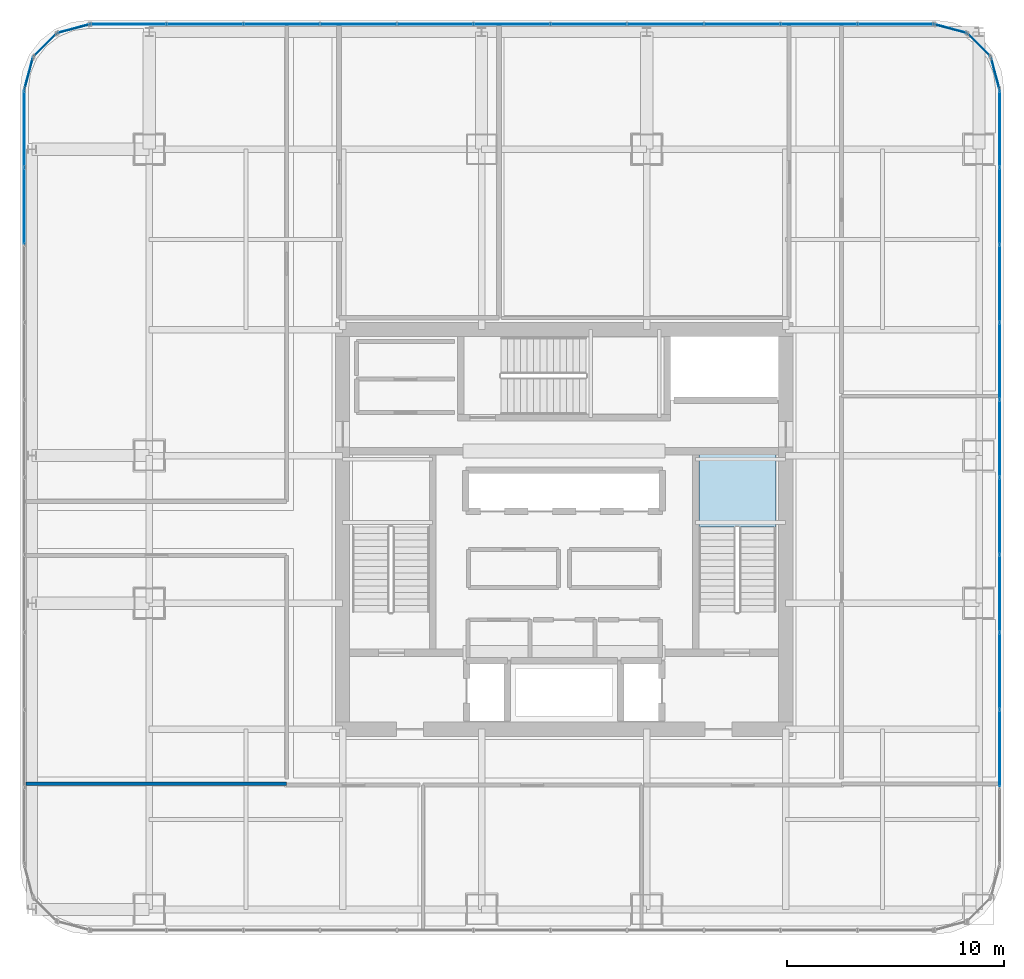
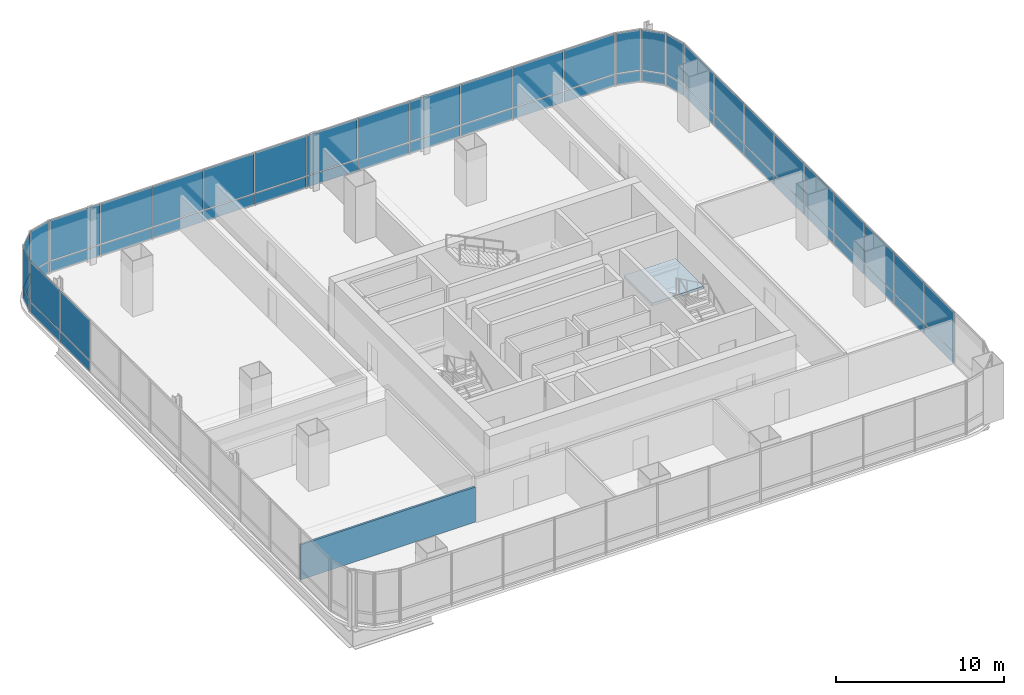
# One storey, part 29 of 37: 56 plates, 1 slab, 1 wall, 10 elements without a shape of their own.
"""IFC4 building model written with IfcOpenShell, lengths in metres."""

from ifc_helpers import new_model, si_unit, direction, frame, frame_2d, origin, origin_2d, place, context, subcontext, project, spatial, polyline, rectangle, outline, extrude, material, layer, layer_set, type_object, element, aggregate, save


model = new_model("IFC4")

# Units and contexts
model_context = context("Model", 3, precision=1e-05, world=origin(), true_north=direction((0.0, 1.0)))
body_context = subcontext(model_context, "Body", "Model", "MODEL_VIEW")
ifc_project = project(units=[si_unit("LENGTHUNIT", "METRE"), si_unit("AREAUNIT", "SQUARE_METRE"), si_unit("VOLUMEUNIT", "CUBIC_METRE"), si_unit("PLANEANGLEUNIT", "RADIAN"), si_unit("MASSUNIT", "GRAM", prefix="KILO")], contexts=[model_context])

# Site, building, storey
site_placement = place(None, origin())
site = spatial("IfcSite", under=ifc_project, at=site_placement, CompositionType="ELEMENT")
building_placement = place(site_placement, origin())
building = spatial("IfcBuilding", under=site, at=building_placement, Name="Punatoya Terracotta Tower", CompositionType="ELEMENT")
storey_placement = place(building_placement, frame((0.0, 0.0, 164.10009765625)))
storey = spatial("IfcBuildingStorey", under=building, at=storey_placement, Name="L38", CompositionType="ELEMENT", Elevation=164.10009765625)

# Curtain wall, plates
ifc_material_1 = material(Name="Aluminium 6063-T6 + Double Low-E Glass", Category="aluminium")
curtain_wall_type = type_object("IfcCurtainWallType", Name="CW-M2", PredefinedType="NOTDEFINED", material=ifc_material_1)
curtain_wall_1_placement = place(storey_placement, origin())
curtain_wall_1 = element("IfcCurtainWall", 1, at=curtain_wall_1_placement, inside=storey, type_object=curtain_wall_type, Name="L38 Curtain Wall CW-L38-E05-1", PredefinedType="NOTDEFINED")
ifc_material_2 = material(Name="Double Low-E Acoustic Vision Glass", Category="glass")
ifc_layer_1 = layer(ifc_material_2, 0.031982421875)
ifc_layer_set_1 = layer_set([ifc_layer_1], Name="Double Low-E Acoustic Vision Glass")
plate_type_1 = type_object("IfcPlateType", Name="PLT-GLZ-32", PredefinedType="CURTAIN_PANEL", material=ifc_layer_set_1)
plate_1_placement = place(storey_placement, frame((20.050048828125, -10.085693359375, 0.889892578125), z_axis=(0.0, 0.0, 1.0), x_axis=(0.0, 1.0, 0.0)))
plate_1 = element("IfcPlate", 2, at=plate_1_placement, type_object=plate_type_1, Name="CW-L38-E05-1 Vision Glass Panel 2", PredefinedType="CURTAIN_PANEL", context=body_context, shape_type="SweptSolid", body=[
    extrude(rectangle(XDim=3.482421875, YDim=0.031982421875, at=origin_2d()), origin(), (0.0, 0.0, 1.0), 2.89990234375),
])
plate_2_placement = place(storey_placement, frame((20.050048828125, -6.518310546875, 0.889892578125), z_axis=(0.0, 0.0, 1.0), x_axis=(0.0, 1.0, 0.0)))
plate_2 = element("IfcPlate", 3, at=plate_2_placement, type_object=plate_type_1, Name="CW-L38-E05-1 Vision Glass Panel 3", PredefinedType="CURTAIN_PANEL", context=body_context, shape_type="SweptSolid", body=[
    extrude(rectangle(XDim=3.482421875, YDim=0.031982421875, at=origin_2d()), origin(), (0.0, 0.0, 1.0), 2.89990234375),
])
plate_3_placement = place(storey_placement, frame((20.050048828125, -2.951171875, 0.889892578125), z_axis=(0.0, 0.0, 1.0), x_axis=(0.0, 1.0, 0.0)))
plate_3 = element("IfcPlate", 4, at=plate_3_placement, type_object=plate_type_1, Name="CW-L38-E05-1 Vision Glass Panel 4", PredefinedType="CURTAIN_PANEL", context=body_context, shape_type="SweptSolid", body=[
    extrude(rectangle(XDim=3.482421875, YDim=0.031982421875, at=origin_2d()), origin(), (0.0, 0.0, 1.0), 2.89990234375),
])
plate_4_placement = place(storey_placement, frame((20.050048828125, 0.6162109375, 0.889892578125), z_axis=(0.0, 0.0, 1.0), x_axis=(0.0, 1.0, 0.0)))
plate_4 = element("IfcPlate", 5, at=plate_4_placement, type_object=plate_type_1, Name="CW-L38-E05-1 Vision Glass Panel 5", PredefinedType="CURTAIN_PANEL", context=body_context, shape_type="SweptSolid", body=[
    extrude(rectangle(XDim=3.482421875, YDim=0.031982421875, at=origin_2d()), origin(), (0.0, 0.0, 1.0), 2.89990234375),
])
plate_5_placement = place(storey_placement, frame((20.050048828125, 4.18359375, 0.889892578125), z_axis=(0.0, 0.0, 1.0), x_axis=(0.0, 1.0, 0.0)))
plate_5 = element("IfcPlate", 6, at=plate_5_placement, type_object=plate_type_1, Name="CW-L38-E05-1 Vision Glass Panel 6", PredefinedType="CURTAIN_PANEL", context=body_context, shape_type="SweptSolid", body=[
    extrude(rectangle(XDim=3.482421875, YDim=0.031982421875, at=origin_2d()), origin(), (0.0, 0.0, 1.0), 2.89990234375),
])
plate_6_placement = place(storey_placement, frame((20.050048828125, 7.751220703125, 0.889892578125), z_axis=(0.0, 0.0, 1.0), x_axis=(0.0, 1.0, 0.0)))
plate_6 = element("IfcPlate", 7, at=plate_6_placement, type_object=plate_type_1, Name="CW-L38-E05-1 Vision Glass Panel 7", PredefinedType="CURTAIN_PANEL", context=body_context, shape_type="SweptSolid", body=[
    extrude(rectangle(XDim=3.482421875, YDim=0.031982421875, at=origin_2d()), origin(), (0.0, 0.0, 1.0), 2.89990234375),
])
plate_7_placement = place(storey_placement, frame((20.050048828125, 11.318359375, 0.889892578125), z_axis=(0.0, 0.0, 1.0), x_axis=(0.0, 1.0, 0.0)))
plate_7 = element("IfcPlate", 8, at=plate_7_placement, type_object=plate_type_1, Name="CW-L38-E05-1 Vision Glass Panel 8", PredefinedType="CURTAIN_PANEL", context=body_context, shape_type="SweptSolid", body=[
    extrude(rectangle(XDim=3.482421875, YDim=0.031982421875, at=origin_2d()), origin(), (0.0, 0.0, 1.0), 2.89990234375),
])
plate_8_placement = place(storey_placement, frame((20.050048828125, 14.8857421875, 0.889892578125), z_axis=(0.0, 0.0, 1.0), x_axis=(0.0, 1.0, 0.0)))
plate_8 = element("IfcPlate", 9, at=plate_8_placement, type_object=plate_type_1, Name="CW-L38-E05-1 Vision Glass Panel 9", PredefinedType="CURTAIN_PANEL", context=body_context, shape_type="SweptSolid", body=[
    extrude(rectangle(XDim=3.482421875, YDim=0.031982421875, at=origin_2d()), origin(), (0.0, 0.0, 1.0), 2.89990234375),
])
plate_9_placement = place(storey_placement, frame((20.050048828125, 18.453125, 0.889892578125), z_axis=(0.0, 0.0, 1.0), x_axis=(0.0, 1.0, 0.0)))
plate_9 = element("IfcPlate", 10, at=plate_9_placement, type_object=plate_type_1, Name="CW-L38-E05-1 Vision Glass Panel 10", PredefinedType="CURTAIN_PANEL", context=body_context, shape_type="SweptSolid", body=[
    extrude(rectangle(XDim=3.482421875, YDim=0.031982421875, at=origin_2d()), origin(), (0.0, 0.0, 1.0), 2.89990234375),
])

# Curtain wall, plate
curtain_wall_2_placement = place(storey_placement, origin())
curtain_wall_2 = element("IfcCurtainWall", 11, at=curtain_wall_2_placement, inside=storey, type_object=curtain_wall_type, Name="L38 Curtain Wall CW-L38-CRN06", PredefinedType="NOTDEFINED")
plate_10_placement = place(storey_placement, frame((19.848388671875, 20.992919921875, 0.889892578125), z_axis=(0.0, 0.0, 1.0), x_axis=(-0.257741620719, 0.966213877436, 0.0)))
plate_10 = element("IfcPlate", 12, at=plate_10_placement, type_object=plate_type_1, Name="CW-L38-CRN06 Vision Glass Panel 1", PredefinedType="CURTAIN_PANEL", context=body_context, shape_type="SweptSolid", body=[
    extrude(rectangle(XDim=1.47998046875, YDim=0.031982421875, at=origin_2d()), origin(), (0.0, 0.0, 1.0), 2.89990234375),
])

curtain_wall_3_placement = place(storey_placement, origin())
curtain_wall_3 = element("IfcCurtainWall", 13, at=curtain_wall_3_placement, inside=storey, type_object=curtain_wall_type, Name="L38 Curtain Wall CW-L38-CRN07", PredefinedType="NOTDEFINED")
plate_11_placement = place(storey_placement, frame((19.097900390625, 22.2978515625, 0.889892578125), z_axis=(0.0, 0.0, 1.0), x_axis=(-0.707106781187, 0.707106781187, 0.0)))
plate_11 = element("IfcPlate", 14, at=plate_11_placement, type_object=plate_type_1, Name="CW-L38-CRN07 Vision Glass Panel 1", PredefinedType="CURTAIN_PANEL", context=body_context, shape_type="SweptSolid", body=[
    extrude(rectangle(XDim=1.467041015625, YDim=0.031982421875, at=origin_2d()), origin(), (0.0, 0.0, 1.0), 2.89990234375),
])

curtain_wall_4_placement = place(storey_placement, origin())
curtain_wall_4 = element("IfcCurtainWall", 15, at=curtain_wall_4_placement, inside=storey, type_object=curtain_wall_type, Name="L38 Curtain Wall CW-L38-CRN08", PredefinedType="NOTDEFINED")
plate_12_placement = place(storey_placement, frame((17.79296875, 23.04833984375, 0.889892578125), z_axis=(0.0, 0.0, 1.0), x_axis=(-0.966213877436, 0.257741620719, 0.0)))
plate_12 = element("IfcPlate", 16, at=plate_12_placement, type_object=plate_type_1, Name="CW-L38-CRN08 Vision Glass Panel 1", PredefinedType="CURTAIN_PANEL", context=body_context, shape_type="SweptSolid", body=[
    extrude(rectangle(XDim=1.47998046875, YDim=0.031982421875, at=origin_2d()), origin(), (0.0, 0.0, 1.0), 2.89990234375),
])

# Curtain wall, plates
curtain_wall_5_placement = place(storey_placement, origin())
curtain_wall_5 = element("IfcCurtainWall", 17, at=curtain_wall_5_placement, inside=storey, type_object=curtain_wall_type, Name="L38 Curtain Wall CW-L38-N09-1", PredefinedType="NOTDEFINED")
plate_13_placement = place(storey_placement, frame((15.27001953125, 23.25, 0.889892578125), z_axis=(0.0, 0.0, 1.0), x_axis=(-1.0, 0.0, 0.0)))
plate_13 = element("IfcPlate", 18, at=plate_13_placement, type_object=plate_type_1, Name="CW-L38-N09-1 Vision Glass Panel 1", PredefinedType="CURTAIN_PANEL", context=body_context, shape_type="SweptSolid", body=[
    extrude(rectangle(XDim=3.448974609375, YDim=0.031982421875, at=origin_2d()), origin(), (0.0, 0.0, 1.0), 2.89990234375),
])
plate_14_placement = place(storey_placement, frame((11.73583984375, 23.25, 0.889892578125), z_axis=(0.0, 0.0, 1.0), x_axis=(-1.0, 0.0, 0.0)))
plate_14 = element("IfcPlate", 19, at=plate_14_placement, type_object=plate_type_1, Name="CW-L38-N09-1 Vision Glass Panel 2", PredefinedType="CURTAIN_PANEL", context=body_context, shape_type="SweptSolid", body=[
    extrude(rectangle(XDim=3.448974609375, YDim=0.031982421875, at=origin_2d()), origin(), (0.0, 0.0, 1.0), 2.89990234375),
])
plate_15_placement = place(storey_placement, frame((8.201904296875, 23.25, 0.889892578125), z_axis=(0.0, 0.0, 1.0), x_axis=(-1.0, 0.0, 0.0)))
plate_15 = element("IfcPlate", 20, at=plate_15_placement, type_object=plate_type_1, Name="CW-L38-N09-1 Vision Glass Panel 3", PredefinedType="CURTAIN_PANEL", context=body_context, shape_type="SweptSolid", body=[
    extrude(rectangle(XDim=3.448974609375, YDim=0.031982421875, at=origin_2d()), origin(), (0.0, 0.0, 1.0), 2.89990234375),
])
plate_16_placement = place(storey_placement, frame((4.66796875, 23.25, 0.889892578125), z_axis=(0.0, 0.0, 1.0), x_axis=(-1.0, 0.0, 0.0)))
plate_16 = element("IfcPlate", 21, at=plate_16_placement, type_object=plate_type_1, Name="CW-L38-N09-1 Vision Glass Panel 4", PredefinedType="CURTAIN_PANEL", context=body_context, shape_type="SweptSolid", body=[
    extrude(rectangle(XDim=3.448974609375, YDim=0.031982421875, at=origin_2d()), origin(), (0.0, 0.0, 1.0), 2.89990234375),
])
plate_17_placement = place(storey_placement, frame((1.134033203125, 23.25, 0.889892578125), z_axis=(0.0, 0.0, 1.0), x_axis=(-1.0, 0.0, 0.0)))
plate_17 = element("IfcPlate", 22, at=plate_17_placement, type_object=plate_type_1, Name="CW-L38-N09-1 Vision Glass Panel 5", PredefinedType="CURTAIN_PANEL", context=body_context, shape_type="SweptSolid", body=[
    extrude(rectangle(XDim=3.448974609375, YDim=0.031982421875, at=origin_2d()), origin(), (0.0, 0.0, 1.0), 2.89990234375),
])
plate_18_placement = place(storey_placement, frame((-2.39990234375, 23.25, 0.889892578125), z_axis=(0.0, 0.0, 1.0), x_axis=(-1.0, 0.0, 0.0)))
plate_18 = element("IfcPlate", 23, at=plate_18_placement, type_object=plate_type_1, Name="CW-L38-N09-1 Vision Glass Panel 6", PredefinedType="CURTAIN_PANEL", context=body_context, shape_type="SweptSolid", body=[
    extrude(rectangle(XDim=3.448974609375, YDim=0.031982421875, at=origin_2d()), origin(), (0.0, 0.0, 1.0), 2.89990234375),
])
plate_19_placement = place(storey_placement, frame((-5.93408203125, 23.25, 0.889892578125), z_axis=(0.0, 0.0, 1.0), x_axis=(-1.0, 0.0, 0.0)))
plate_19 = element("IfcPlate", 24, at=plate_19_placement, type_object=plate_type_1, Name="CW-L38-N09-1 Vision Glass Panel 7", PredefinedType="CURTAIN_PANEL", context=body_context, shape_type="SweptSolid", body=[
    extrude(rectangle(XDim=3.448974609375, YDim=0.031982421875, at=origin_2d()), origin(), (0.0, 0.0, 1.0), 2.89990234375),
])
plate_20_placement = place(storey_placement, frame((-9.468017578125, 23.25, 0.889892578125), z_axis=(0.0, 0.0, 1.0), x_axis=(-1.0, 0.0, 0.0)))
plate_20 = element("IfcPlate", 25, at=plate_20_placement, type_object=plate_type_1, Name="CW-L38-N09-1 Vision Glass Panel 8", PredefinedType="CURTAIN_PANEL", context=body_context, shape_type="SweptSolid", body=[
    extrude(rectangle(XDim=3.448974609375, YDim=0.031982421875, at=origin_2d()), origin(), (0.0, 0.0, 1.0), 2.89990234375),
])
plate_21_placement = place(storey_placement, frame((-13.001953125, 23.25, 0.889892578125), z_axis=(0.0, 0.0, 1.0), x_axis=(-1.0, 0.0, 0.0)))
plate_21 = element("IfcPlate", 26, at=plate_21_placement, type_object=plate_type_1, Name="CW-L38-N09-1 Vision Glass Panel 9", PredefinedType="CURTAIN_PANEL", context=body_context, shape_type="SweptSolid", body=[
    extrude(rectangle(XDim=3.448974609375, YDim=0.031982421875, at=origin_2d()), origin(), (0.0, 0.0, 1.0), 2.89990234375),
])
plate_22_placement = place(storey_placement, frame((-16.535888671875, 23.25, 0.889892578125), z_axis=(0.0, 0.0, 1.0), x_axis=(-1.0, 0.0, 0.0)))
plate_22 = element("IfcPlate", 27, at=plate_22_placement, type_object=plate_type_1, Name="CW-L38-N09-1 Vision Glass Panel 10", PredefinedType="CURTAIN_PANEL", context=body_context, shape_type="SweptSolid", body=[
    extrude(rectangle(XDim=3.448974609375, YDim=0.031982421875, at=origin_2d()), origin(), (0.0, 0.0, 1.0), 2.89990234375),
])
plate_23_placement = place(storey_placement, frame((-20.06982421875, 23.25, 0.889892578125), z_axis=(0.0, 0.0, 1.0), x_axis=(-1.0, 0.0, 0.0)))
plate_23 = element("IfcPlate", 28, at=plate_23_placement, type_object=plate_type_1, Name="CW-L38-N09-1 Vision Glass Panel 11", PredefinedType="CURTAIN_PANEL", context=body_context, shape_type="SweptSolid", body=[
    extrude(rectangle(XDim=3.448974609375, YDim=0.031982421875, at=origin_2d()), origin(), (0.0, 0.0, 1.0), 2.89990234375),
])

# Curtain wall, plate
curtain_wall_6_placement = place(storey_placement, origin())
curtain_wall_6 = element("IfcCurtainWall", 29, at=curtain_wall_6_placement, inside=storey, type_object=curtain_wall_type, Name="L38 Curtain Wall CW-L38-CRN10", PredefinedType="NOTDEFINED")
plate_24_placement = place(storey_placement, frame((-22.593017578125, 23.04833984375, 0.889892578125), z_axis=(0.0, 0.0, 1.0), x_axis=(-0.966213877436, -0.257741620719, 0.0)))
plate_24 = element("IfcPlate", 30, at=plate_24_placement, type_object=plate_type_1, Name="CW-L38-CRN10 Vision Glass Panel 1", PredefinedType="CURTAIN_PANEL", context=body_context, shape_type="SweptSolid", body=[
    extrude(rectangle(XDim=1.47998046875, YDim=0.031982421875, at=origin_2d()), origin(), (0.0, 0.0, 1.0), 2.89990234375),
])

curtain_wall_7_placement = place(storey_placement, origin())
curtain_wall_7 = element("IfcCurtainWall", 31, at=curtain_wall_7_placement, inside=storey, type_object=curtain_wall_type, Name="L38 Curtain Wall CW-L38-CRN11", PredefinedType="NOTDEFINED")
plate_25_placement = place(storey_placement, frame((-23.89794921875, 22.2978515625, 0.889892578125), z_axis=(0.0, 0.0, 1.0), x_axis=(-0.707106781187, -0.707106781187, 0.0)))
plate_25 = element("IfcPlate", 32, at=plate_25_placement, type_object=plate_type_1, Name="CW-L38-CRN11 Vision Glass Panel 1", PredefinedType="CURTAIN_PANEL", context=body_context, shape_type="SweptSolid", body=[
    extrude(rectangle(XDim=1.467041015625, YDim=0.031982421875, at=origin_2d()), origin(), (0.0, 0.0, 1.0), 2.89990234375),
])

curtain_wall_8_placement = place(storey_placement, origin())
curtain_wall_8 = element("IfcCurtainWall", 33, at=curtain_wall_8_placement, inside=storey, type_object=curtain_wall_type, Name="L38 Curtain Wall CW-L38-CRN12", PredefinedType="NOTDEFINED")
plate_26_placement = place(storey_placement, frame((-24.648193359375, 20.992919921875, 0.889892578125), z_axis=(0.0, 0.0, 1.0), x_axis=(-0.257741620719, -0.966213877436, 0.0)))
plate_26 = element("IfcPlate", 34, at=plate_26_placement, type_object=plate_type_1, Name="CW-L38-CRN12 Vision Glass Panel 1", PredefinedType="CURTAIN_PANEL", context=body_context, shape_type="SweptSolid", body=[
    extrude(rectangle(XDim=1.47998046875, YDim=0.031982421875, at=origin_2d()), origin(), (0.0, 0.0, 1.0), 2.89990234375),
])

# Curtain wall, plates
curtain_wall_9_placement = place(storey_placement, origin())
curtain_wall_9 = element("IfcCurtainWall", 35, at=curtain_wall_9_placement, inside=storey, type_object=curtain_wall_type, Name="L38 Curtain Wall CW-L38-W13-1", PredefinedType="NOTDEFINED")
plate_27_placement = place(storey_placement, frame((-24.85009765625, 18.453125, 0.889892578125), z_axis=(0.0, 0.0, 1.0), x_axis=(0.0, -1.0, 0.0)))
plate_27 = element("IfcPlate", 36, at=plate_27_placement, type_object=plate_type_1, Name="CW-L38-W13-1 Vision Glass Panel 1", PredefinedType="CURTAIN_PANEL", context=body_context, shape_type="SweptSolid", body=[
    extrude(rectangle(XDim=3.482421875, YDim=0.031982421875, at=origin_2d()), origin(), (0.0, 0.0, 1.0), 2.89990234375),
])
plate_28_placement = place(storey_placement, frame((-24.85009765625, 14.8857421875, 0.889892578125), z_axis=(0.0, 0.0, 1.0), x_axis=(0.0, -1.0, 0.0)))
plate_28 = element("IfcPlate", 37, at=plate_28_placement, type_object=plate_type_1, Name="CW-L38-W13-1 Vision Glass Panel 2", PredefinedType="CURTAIN_PANEL", context=body_context, shape_type="SweptSolid", body=[
    extrude(rectangle(XDim=3.482421875, YDim=0.031982421875, at=origin_2d()), origin(), (0.0, 0.0, 1.0), 2.89990234375),
])

# Plate
ifc_material_3 = material(Name="Insulated Terracotta-Backed Spandrel Panel", Category="masonry")
ifc_layer_2 = layer(ifc_material_3, 0.044921875)
ifc_layer_set_2 = layer_set([ifc_layer_2], Name="Insulated Terracotta-Backed Spandrel Panel")
plate_type_2 = type_object("IfcPlateType", Name="PLT-SPN-45", PredefinedType="CURTAIN_PANEL", material=ifc_layer_set_2)
plate_29_placement = place(storey_placement, frame((20.050048828125, -10.085693359375, 0.0400390625), z_axis=(0.0, 0.0, 1.0), x_axis=(0.0, 1.0, 0.0)))
plate_29 = element("IfcPlate", 38, at=plate_29_placement, type_object=plate_type_2, Name="CW-L38-E05-1 Terracotta Spandrel Panel 2", PredefinedType="CURTAIN_PANEL", context=body_context, shape_type="SweptSolid", body=[
    extrude(rectangle(XDim=3.482421875, YDim=0.044921875, at=origin_2d()), origin(), (0.0, 0.0, 1.0), 0.77490234375),
])

plate_30_placement = place(storey_placement, frame((20.050048828125, -6.518310546875, 0.0400390625), z_axis=(0.0, 0.0, 1.0), x_axis=(0.0, 1.0, 0.0)))
plate_30 = element("IfcPlate", 39, at=plate_30_placement, type_object=plate_type_2, Name="CW-L38-E05-1 Terracotta Spandrel Panel 3", PredefinedType="CURTAIN_PANEL", context=body_context, shape_type="SweptSolid", body=[
    extrude(rectangle(XDim=3.482421875, YDim=0.044921875, at=origin_2d()), origin(), (0.0, 0.0, 1.0), 0.77490234375),
])

plate_31_placement = place(storey_placement, frame((20.050048828125, -2.951171875, 0.0400390625), z_axis=(0.0, 0.0, 1.0), x_axis=(0.0, 1.0, 0.0)))
plate_31 = element("IfcPlate", 40, at=plate_31_placement, type_object=plate_type_2, Name="CW-L38-E05-1 Terracotta Spandrel Panel 4", PredefinedType="CURTAIN_PANEL", context=body_context, shape_type="SweptSolid", body=[
    extrude(rectangle(XDim=3.482421875, YDim=0.044921875, at=origin_2d()), origin(), (0.0, 0.0, 1.0), 0.77490234375),
])

plate_32_placement = place(storey_placement, frame((20.050048828125, 0.6162109375, 0.0400390625), z_axis=(0.0, 0.0, 1.0), x_axis=(0.0, 1.0, 0.0)))
plate_32 = element("IfcPlate", 41, at=plate_32_placement, type_object=plate_type_2, Name="CW-L38-E05-1 Terracotta Spandrel Panel 5", PredefinedType="CURTAIN_PANEL", context=body_context, shape_type="SweptSolid", body=[
    extrude(rectangle(XDim=3.482421875, YDim=0.044921875, at=origin_2d()), origin(), (0.0, 0.0, 1.0), 0.77490234375),
])

plate_33_placement = place(storey_placement, frame((20.050048828125, 4.18359375, 0.0400390625), z_axis=(0.0, 0.0, 1.0), x_axis=(0.0, 1.0, 0.0)))
plate_33 = element("IfcPlate", 42, at=plate_33_placement, type_object=plate_type_2, Name="CW-L38-E05-1 Terracotta Spandrel Panel 6", PredefinedType="CURTAIN_PANEL", context=body_context, shape_type="SweptSolid", body=[
    extrude(rectangle(XDim=3.482421875, YDim=0.044921875, at=origin_2d()), origin(), (0.0, 0.0, 1.0), 0.77490234375),
])

plate_34_placement = place(storey_placement, frame((20.050048828125, 7.751220703125, 0.0400390625), z_axis=(0.0, 0.0, 1.0), x_axis=(0.0, 1.0, 0.0)))
plate_34 = element("IfcPlate", 43, at=plate_34_placement, type_object=plate_type_2, Name="CW-L38-E05-1 Terracotta Spandrel Panel 7", PredefinedType="CURTAIN_PANEL", context=body_context, shape_type="SweptSolid", body=[
    extrude(rectangle(XDim=3.482421875, YDim=0.044921875, at=origin_2d()), origin(), (0.0, 0.0, 1.0), 0.77490234375),
])

plate_35_placement = place(storey_placement, frame((20.050048828125, 11.318359375, 0.0400390625), z_axis=(0.0, 0.0, 1.0), x_axis=(0.0, 1.0, 0.0)))
plate_35 = element("IfcPlate", 44, at=plate_35_placement, type_object=plate_type_2, Name="CW-L38-E05-1 Terracotta Spandrel Panel 8", PredefinedType="CURTAIN_PANEL", context=body_context, shape_type="SweptSolid", body=[
    extrude(rectangle(XDim=3.482421875, YDim=0.044921875, at=origin_2d()), origin(), (0.0, 0.0, 1.0), 0.77490234375),
])

plate_36_placement = place(storey_placement, frame((20.050048828125, 14.8857421875, 0.0400390625), z_axis=(0.0, 0.0, 1.0), x_axis=(0.0, 1.0, 0.0)))
plate_36 = element("IfcPlate", 45, at=plate_36_placement, type_object=plate_type_2, Name="CW-L38-E05-1 Terracotta Spandrel Panel 9", PredefinedType="CURTAIN_PANEL", context=body_context, shape_type="SweptSolid", body=[
    extrude(rectangle(XDim=3.482421875, YDim=0.044921875, at=origin_2d()), origin(), (0.0, 0.0, 1.0), 0.77490234375),
])

plate_37_placement = place(storey_placement, frame((20.050048828125, 18.453125, 0.0400390625), z_axis=(0.0, 0.0, 1.0), x_axis=(0.0, 1.0, 0.0)))
plate_37 = element("IfcPlate", 46, at=plate_37_placement, type_object=plate_type_2, Name="CW-L38-E05-1 Terracotta Spandrel Panel 10", PredefinedType="CURTAIN_PANEL", context=body_context, shape_type="SweptSolid", body=[
    extrude(rectangle(XDim=3.482421875, YDim=0.044921875, at=origin_2d()), origin(), (0.0, 0.0, 1.0), 0.77490234375),
])

aggregate(curtain_wall_1, [plate_29, plate_1, plate_30, plate_2, plate_31, plate_3, plate_32, plate_4, plate_33, plate_5, plate_34, plate_6, plate_35, plate_7, plate_36, plate_8, plate_37, plate_9])

plate_38_placement = place(storey_placement, frame((19.848388671875, 20.992919921875, 0.0400390625), z_axis=(0.0, 0.0, 1.0), x_axis=(-0.257741620719, 0.966213877436, 0.0)))
plate_38 = element("IfcPlate", 47, at=plate_38_placement, type_object=plate_type_2, Name="CW-L38-CRN06 Terracotta Spandrel Panel 1", PredefinedType="CURTAIN_PANEL", context=body_context, shape_type="SweptSolid", body=[
    extrude(rectangle(XDim=1.47998046875, YDim=0.044921875, at=origin_2d()), origin(), (0.0, 0.0, 1.0), 0.77490234375),
])

aggregate(curtain_wall_2, [plate_38, plate_10])

plate_39_placement = place(storey_placement, frame((19.097900390625, 22.2978515625, 0.0400390625), z_axis=(0.0, 0.0, 1.0), x_axis=(-0.707106781187, 0.707106781187, 0.0)))
plate_39 = element("IfcPlate", 48, at=plate_39_placement, type_object=plate_type_2, Name="CW-L38-CRN07 Terracotta Spandrel Panel 1", PredefinedType="CURTAIN_PANEL", context=body_context, shape_type="SweptSolid", body=[
    extrude(rectangle(XDim=1.467041015625, YDim=0.044921875, at=origin_2d()), origin(), (0.0, 0.0, 1.0), 0.77490234375),
])

aggregate(curtain_wall_3, [plate_39, plate_11])

plate_40_placement = place(storey_placement, frame((17.79296875, 23.04833984375, 0.0400390625), z_axis=(0.0, 0.0, 1.0), x_axis=(-0.966213877436, 0.257741620719, 0.0)))
plate_40 = element("IfcPlate", 49, at=plate_40_placement, type_object=plate_type_2, Name="CW-L38-CRN08 Terracotta Spandrel Panel 1", PredefinedType="CURTAIN_PANEL", context=body_context, shape_type="SweptSolid", body=[
    extrude(rectangle(XDim=1.47998046875, YDim=0.044921875, at=origin_2d()), origin(), (0.0, 0.0, 1.0), 0.77490234375),
])

aggregate(curtain_wall_4, [plate_40, plate_12])

plate_41_placement = place(storey_placement, frame((15.27001953125, 23.25, 0.0400390625), z_axis=(0.0, 0.0, 1.0), x_axis=(-1.0, 0.0, 0.0)))
plate_41 = element("IfcPlate", 50, at=plate_41_placement, type_object=plate_type_2, Name="CW-L38-N09-1 Terracotta Spandrel Panel 1", PredefinedType="CURTAIN_PANEL", context=body_context, shape_type="SweptSolid", body=[
    extrude(rectangle(XDim=3.448974609375, YDim=0.044921875, at=origin_2d()), origin(), (0.0, 0.0, 1.0), 0.77490234375),
])

plate_42_placement = place(storey_placement, frame((11.73583984375, 23.25, 0.0400390625), z_axis=(0.0, 0.0, 1.0), x_axis=(-1.0, 0.0, 0.0)))
plate_42 = element("IfcPlate", 51, at=plate_42_placement, type_object=plate_type_2, Name="CW-L38-N09-1 Terracotta Spandrel Panel 2", PredefinedType="CURTAIN_PANEL", context=body_context, shape_type="SweptSolid", body=[
    extrude(rectangle(XDim=3.448974609375, YDim=0.044921875, at=origin_2d()), origin(), (0.0, 0.0, 1.0), 0.77490234375),
])

plate_43_placement = place(storey_placement, frame((8.201904296875, 23.25, 0.0400390625), z_axis=(0.0, 0.0, 1.0), x_axis=(-1.0, 0.0, 0.0)))
plate_43 = element("IfcPlate", 52, at=plate_43_placement, type_object=plate_type_2, Name="CW-L38-N09-1 Terracotta Spandrel Panel 3", PredefinedType="CURTAIN_PANEL", context=body_context, shape_type="SweptSolid", body=[
    extrude(rectangle(XDim=3.448974609375, YDim=0.044921875, at=origin_2d()), origin(), (0.0, 0.0, 1.0), 0.77490234375),
])

plate_44_placement = place(storey_placement, frame((4.66796875, 23.25, 0.0400390625), z_axis=(0.0, 0.0, 1.0), x_axis=(-1.0, 0.0, 0.0)))
plate_44 = element("IfcPlate", 53, at=plate_44_placement, type_object=plate_type_2, Name="CW-L38-N09-1 Terracotta Spandrel Panel 4", PredefinedType="CURTAIN_PANEL", context=body_context, shape_type="SweptSolid", body=[
    extrude(rectangle(XDim=3.448974609375, YDim=0.044921875, at=origin_2d()), origin(), (0.0, 0.0, 1.0), 0.77490234375),
])

plate_45_placement = place(storey_placement, frame((1.134033203125, 23.25, 0.0400390625), z_axis=(0.0, 0.0, 1.0), x_axis=(-1.0, 0.0, 0.0)))
plate_45 = element("IfcPlate", 54, at=plate_45_placement, type_object=plate_type_2, Name="CW-L38-N09-1 Terracotta Spandrel Panel 5", PredefinedType="CURTAIN_PANEL", context=body_context, shape_type="SweptSolid", body=[
    extrude(rectangle(XDim=3.448974609375, YDim=0.044921875, at=origin_2d()), origin(), (0.0, 0.0, 1.0), 0.77490234375),
])

plate_46_placement = place(storey_placement, frame((-2.39990234375, 23.25, 0.0400390625), z_axis=(0.0, 0.0, 1.0), x_axis=(-1.0, 0.0, 0.0)))
plate_46 = element("IfcPlate", 55, at=plate_46_placement, type_object=plate_type_2, Name="CW-L38-N09-1 Terracotta Spandrel Panel 6", PredefinedType="CURTAIN_PANEL", context=body_context, shape_type="SweptSolid", body=[
    extrude(rectangle(XDim=3.448974609375, YDim=0.044921875, at=origin_2d()), origin(), (0.0, 0.0, 1.0), 0.77490234375),
])

plate_47_placement = place(storey_placement, frame((-5.93408203125, 23.25, 0.0400390625), z_axis=(0.0, 0.0, 1.0), x_axis=(-1.0, 0.0, 0.0)))
plate_47 = element("IfcPlate", 56, at=plate_47_placement, type_object=plate_type_2, Name="CW-L38-N09-1 Terracotta Spandrel Panel 7", PredefinedType="CURTAIN_PANEL", context=body_context, shape_type="SweptSolid", body=[
    extrude(rectangle(XDim=3.448974609375, YDim=0.044921875, at=origin_2d()), origin(), (0.0, 0.0, 1.0), 0.77490234375),
])

plate_48_placement = place(storey_placement, frame((-9.468017578125, 23.25, 0.0400390625), z_axis=(0.0, 0.0, 1.0), x_axis=(-1.0, 0.0, 0.0)))
plate_48 = element("IfcPlate", 57, at=plate_48_placement, type_object=plate_type_2, Name="CW-L38-N09-1 Terracotta Spandrel Panel 8", PredefinedType="CURTAIN_PANEL", context=body_context, shape_type="SweptSolid", body=[
    extrude(rectangle(XDim=3.448974609375, YDim=0.044921875, at=origin_2d()), origin(), (0.0, 0.0, 1.0), 0.77490234375),
])

plate_49_placement = place(storey_placement, frame((-13.001953125, 23.25, 0.0400390625), z_axis=(0.0, 0.0, 1.0), x_axis=(-1.0, 0.0, 0.0)))
plate_49 = element("IfcPlate", 58, at=plate_49_placement, type_object=plate_type_2, Name="CW-L38-N09-1 Terracotta Spandrel Panel 9", PredefinedType="CURTAIN_PANEL", context=body_context, shape_type="SweptSolid", body=[
    extrude(rectangle(XDim=3.448974609375, YDim=0.044921875, at=origin_2d()), origin(), (0.0, 0.0, 1.0), 0.77490234375),
])

plate_50_placement = place(storey_placement, frame((-16.535888671875, 23.25, 0.0400390625), z_axis=(0.0, 0.0, 1.0), x_axis=(-1.0, 0.0, 0.0)))
plate_50 = element("IfcPlate", 59, at=plate_50_placement, type_object=plate_type_2, Name="CW-L38-N09-1 Terracotta Spandrel Panel 10", PredefinedType="CURTAIN_PANEL", context=body_context, shape_type="SweptSolid", body=[
    extrude(rectangle(XDim=3.448974609375, YDim=0.044921875, at=origin_2d()), origin(), (0.0, 0.0, 1.0), 0.77490234375),
])

plate_51_placement = place(storey_placement, frame((-20.06982421875, 23.25, 0.0400390625), z_axis=(0.0, 0.0, 1.0), x_axis=(-1.0, 0.0, 0.0)))
plate_51 = element("IfcPlate", 60, at=plate_51_placement, type_object=plate_type_2, Name="CW-L38-N09-1 Terracotta Spandrel Panel 11", PredefinedType="CURTAIN_PANEL", context=body_context, shape_type="SweptSolid", body=[
    extrude(rectangle(XDim=3.448974609375, YDim=0.044921875, at=origin_2d()), origin(), (0.0, 0.0, 1.0), 0.77490234375),
])

aggregate(curtain_wall_5, [plate_41, plate_13, plate_42, plate_14, plate_43, plate_15, plate_44, plate_16, plate_45, plate_17, plate_46, plate_18, plate_47, plate_19, plate_48, plate_20, plate_49, plate_21, plate_50, plate_22, plate_51, plate_23])

plate_52_placement = place(storey_placement, frame((-22.593017578125, 23.04833984375, 0.0400390625), z_axis=(0.0, 0.0, 1.0), x_axis=(-0.966213877436, -0.257741620719, 0.0)))
plate_52 = element("IfcPlate", 61, at=plate_52_placement, type_object=plate_type_2, Name="CW-L38-CRN10 Terracotta Spandrel Panel 1", PredefinedType="CURTAIN_PANEL", context=body_context, shape_type="SweptSolid", body=[
    extrude(rectangle(XDim=1.47998046875, YDim=0.044921875, at=origin_2d()), origin(), (0.0, 0.0, 1.0), 0.77490234375),
])

aggregate(curtain_wall_6, [plate_52, plate_24])

plate_53_placement = place(storey_placement, frame((-23.89794921875, 22.2978515625, 0.0400390625), z_axis=(0.0, 0.0, 1.0), x_axis=(-0.707106781187, -0.707106781187, 0.0)))
plate_53 = element("IfcPlate", 62, at=plate_53_placement, type_object=plate_type_2, Name="CW-L38-CRN11 Terracotta Spandrel Panel 1", PredefinedType="CURTAIN_PANEL", context=body_context, shape_type="SweptSolid", body=[
    extrude(rectangle(XDim=1.467041015625, YDim=0.044921875, at=origin_2d()), origin(), (0.0, 0.0, 1.0), 0.77490234375),
])

aggregate(curtain_wall_7, [plate_53, plate_25])

plate_54_placement = place(storey_placement, frame((-24.648193359375, 20.992919921875, 0.0400390625), z_axis=(0.0, 0.0, 1.0), x_axis=(-0.257741620719, -0.966213877436, 0.0)))
plate_54 = element("IfcPlate", 63, at=plate_54_placement, type_object=plate_type_2, Name="CW-L38-CRN12 Terracotta Spandrel Panel 1", PredefinedType="CURTAIN_PANEL", context=body_context, shape_type="SweptSolid", body=[
    extrude(rectangle(XDim=1.47998046875, YDim=0.044921875, at=origin_2d()), origin(), (0.0, 0.0, 1.0), 0.77490234375),
])

aggregate(curtain_wall_8, [plate_54, plate_26])

plate_55_placement = place(storey_placement, frame((-24.85009765625, 18.453125, 0.0400390625), z_axis=(0.0, 0.0, 1.0), x_axis=(0.0, -1.0, 0.0)))
plate_55 = element("IfcPlate", 64, at=plate_55_placement, type_object=plate_type_2, Name="CW-L38-W13-1 Terracotta Spandrel Panel 1", PredefinedType="CURTAIN_PANEL", context=body_context, shape_type="SweptSolid", body=[
    extrude(rectangle(XDim=3.482421875, YDim=0.044921875, at=origin_2d()), origin(), (0.0, 0.0, 1.0), 0.77490234375),
])

plate_56_placement = place(storey_placement, frame((-24.85009765625, 14.8857421875, 0.0400390625), z_axis=(0.0, 0.0, 1.0), x_axis=(0.0, -1.0, 0.0)))
plate_56 = element("IfcPlate", 65, at=plate_56_placement, type_object=plate_type_2, Name="CW-L38-W13-1 Terracotta Spandrel Panel 2", PredefinedType="CURTAIN_PANEL", context=body_context, shape_type="SweptSolid", body=[
    extrude(rectangle(XDim=3.482421875, YDim=0.044921875, at=origin_2d()), origin(), (0.0, 0.0, 1.0), 0.77490234375),
])

aggregate(curtain_wall_9, [plate_55, plate_27, plate_56, plate_28])

# Stair, slab
ifc_material_4 = material(Name="Concrete C40/50", Category="concrete")
stair_type = type_object("IfcStairType", Name="STR-LOB-1650", PredefinedType="HALF_TURN_STAIR", material=ifc_material_4)
stair_placement = place(storey_placement, origin())
stair = element("IfcStair", 66, at=stair_placement, inside=storey, type_object=stair_type, Name="L38 Protected Core Exit Stair ST-2", PredefinedType="HALF_TURN_STAIR")
ifc_layer_3 = layer(ifc_material_4, 0.179931640625)
ifc_layer_set_3 = layer_set([ifc_layer_3], Name="Concrete C40/50")
slab_type = type_object("IfcSlabType", Name="SLB-LND-180", PredefinedType="LANDING", material=ifc_layer_set_3)
slab_placement = place(storey_placement, frame((0.0, 0.0, 1.824951171875)))
slab = element("IfcSlab", 67, at=slab_placement, type_object=slab_type, Name="ST-2 landing 1", PredefinedType="LANDING", context=body_context, shape_type="SweptSolid", body=[
    extrude(outline(polyline([(9.75, 0.10009765625), (9.75, 3.449951171875), (6.199951171875, 3.449951171875), (6.199951171875, 0.10009765625), (9.75, 0.10009765625)])), origin(), (0.0, 0.0, 1.0), 0.199951171875),
])
aggregate(stair, [slab])

# Wall
ifc_material_5 = material(Name="Acoustic Gypsum + Steel Stud", Category="steel")
ifc_layer_4 = layer(ifc_material_5, 0.139892578125)
ifc_layer_set_4 = layer_set([ifc_layer_4], Name="Acoustic Gypsum + Steel Stud")
wall_type = type_object("IfcWallType", Name="WL-OFF-140", PredefinedType="PARTITIONING", material=ifc_layer_set_4)
wall_placement = place(storey_placement, frame((-24.77001953125, -11.7099609375, 0.0), z_axis=(0.0, 0.0, 1.0), x_axis=(1.0, 0.0, 0.0)))
element("IfcWall", 68, at=wall_placement, inside=storey, type_object=wall_type, Name="L38 Open-Plan Cartography Reference Library Partition 24", PredefinedType="PARTITIONING", context=body_context, shape_type="SweptSolid", body=[
    extrude(rectangle(XDim=12.0, YDim=0.139892578125, at=frame_2d((6.0, 0.0))), origin(), (0.0, 0.0, 1.0), 2.5439453125),
])

save(model, "model.ifc")
